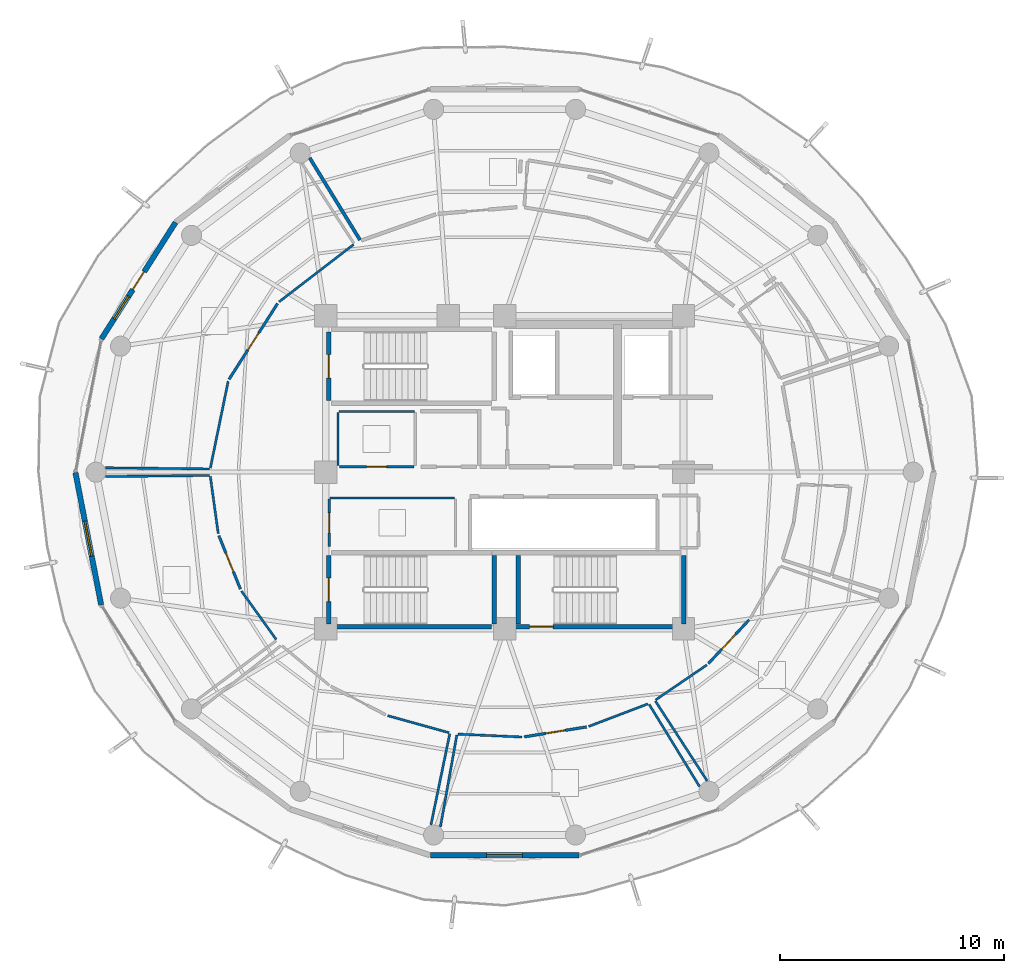
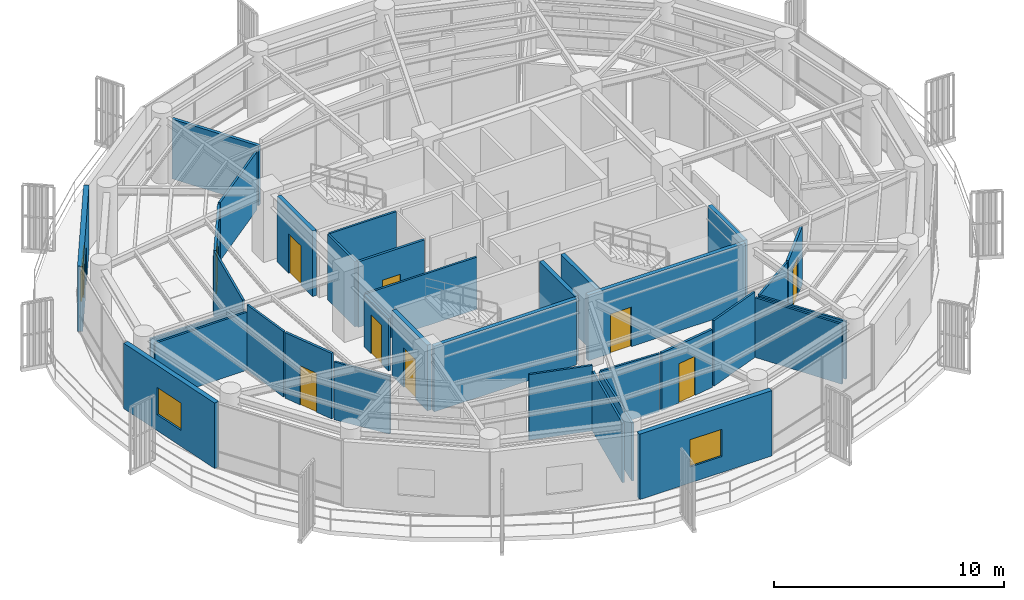
# One storey, part 15 of 22: 34 walls, 10 doors, 3 windows, 13 openings.
"""IFC4 building model written with IfcOpenShell, lengths in metres."""

from ifc_helpers import new_model, si_unit, direction, frame, frame_2d, origin, place, context, subcontext, project, spatial, rectangle, extrude, material, layer, layer_set, type_object, element, fill, save


model = new_model("IFC4")

# Units and contexts
model_context = context("Model", 3, precision=1e-05, world=origin(), true_north=direction((0.0, 1.0)))
body_context = subcontext(model_context, "Body", "Model", "MODEL_VIEW")
ifc_project = project(units=[si_unit("LENGTHUNIT", "METRE"), si_unit("AREAUNIT", "SQUARE_METRE"), si_unit("VOLUMEUNIT", "CUBIC_METRE"), si_unit("PLANEANGLEUNIT", "RADIAN"), si_unit("MASSUNIT", "GRAM", prefix="KILO")], contexts=[model_context])

# Site, building, storey
site_placement = place(None, origin())
site = spatial("IfcSite", under=ifc_project, at=site_placement, CompositionType="ELEMENT")
building_placement = place(site_placement, origin())
building = spatial("IfcBuilding", under=site, at=building_placement, Name="Kelanora Arch Commons", CompositionType="ELEMENT")
storey_placement = place(building_placement, frame((0.0, 0.0, 267.449951171875)))
storey = spatial("IfcBuildingStorey", under=building, at=storey_placement, Name="L68", CompositionType="ELEMENT", Elevation=267.449951171875)

# Wall
ifc_material_1 = material(Name="Autoclaved aerated concrete blockwork with fire plaster", Category="masonry")
ifc_layer_1 = layer(ifc_material_1, 0.14990234375)
ifc_layer_set_1 = layer_set([ifc_layer_1], Name="Autoclaved aerated concrete blockwork with fire plaster")
wall_type_1 = type_object("IfcWallType", Name="W-COMP-150", PredefinedType="PARTITIONING", material=ifc_layer_set_1)
wall_1_placement = place(storey_placement, frame((67.5341796875, 68.385009765625, 0.0), z_axis=(0.0, 0.0, 1.0), x_axis=(-0.522784059663, 0.852465147066, 0.0)))
element("IfcWall", 1, at=wall_1_placement, inside=storey, type_object=wall_type_1, Name="Co-Living Studio L68-02 Enclosure Partition 3", PredefinedType="PARTITIONING", context=body_context, shape_type="SweptSolid", body=[
    extrude(rectangle(XDim=4.30615234375, YDim=0.14990234375, at=frame_2d((2.153076171875, 0.0))), origin(), (0.0, 0.0, 1.0), 3.175048828125),
])

# Wall, openings, door, window
ifc_material_2 = material(Name="Precast concrete C40/50 upper-zone terracotta rainscreen", Category="masonry")
ifc_layer_2 = layer(ifc_material_2, 0.239990234375)
ifc_layer_set_2 = layer_set([ifc_layer_2], Name="Precast concrete C40/50 upper-zone terracotta rainscreen")
wall_type_2 = type_object("IfcWallType", Name="W-EXT-TC2", PredefinedType="SOLIDWALL", material=ifc_layer_set_2)
wall_2_placement = place(storey_placement, frame((59.28369140625, 69.171875, 0.0), z_axis=(0.0, 0.0, 1.0), x_axis=(-0.537271968456, -0.843409053728, 0.0)))
wall_2 = element("IfcWall", 2, at=wall_2_placement, inside=storey, type_object=wall_type_2, Name="Terracotta Exterior Wall L68-B07", PredefinedType="SOLIDWALL", context=body_context, shape_type="SweptSolid", body=[
    extrude(rectangle(XDim=6.175048828125, YDim=0.239990234375, at=frame_2d((3.08740234375, 0.0))), origin(), (0.0, 0.0, 1.0), 3.47509765625),
])
opening_1_placement = place(wall_2_placement, frame((2.613037109375, 0.0, 0.0)))
opening_1 = element("IfcOpeningElement", 3, at=opening_1_placement, cuts=wall_2, Name="Opening DB-01", PredefinedType="OPENING", context=body_context, shape_type="SweptSolid", body=[
    extrude(rectangle(XDim=0.949951171875, YDim=2.10009765625, at=frame_2d((0.47509765625, 1.050048828125))), frame((0.0, 0.1298828125, 0.0), z_axis=(0.0, -1.0, 0.0), x_axis=(1.0, 0.0, 0.0)), (0.0, 0.0, 1.0), 0.260009765625),
])
opening_2_placement = place(wall_2_placement, frame((3.9130859375, 0.0, 0.85009765625)))
opening_2 = element("IfcOpeningElement", 4, at=opening_2_placement, cuts=wall_2, Name="Opening WN-02", PredefinedType="OPENING", context=body_context, shape_type="SweptSolid", body=[
    extrude(rectangle(XDim=1.199951171875, YDim=1.449951171875, at=frame_2d((0.60009765625, 0.72509765625))), frame((0.0, 0.1298828125, 0.0), z_axis=(0.0, -1.0, 0.0), x_axis=(1.0, 0.0, 0.0)), (0.0, 0.0, 1.0), 0.260009765625),
])
ifc_material_3 = material(Name="Terracotta-aluminium thermally broken glazed balcony door", Category="masonry")
door_type_1 = type_object("IfcDoorType", Name="D-BAL-10", OperationType="NOTDEFINED", PredefinedType="DOOR", material=ifc_material_3)
door_1_placement = place(opening_1_placement, frame((0.949951171875, 0.0, 0.0), z_axis=(0.0, 0.0, 1.0), x_axis=(-1.0, 0.0, 0.0)))
door_1 = element("IfcDoor", 5, at=door_1_placement, inside=storey, type_object=door_type_1, Name="Wave Balcony Door L68-B07", OperationType="SINGLE_SWING_RIGHT", OverallHeight=2.10009765625, OverallWidth=0.949951171875, PredefinedType="DOOR", context=body_context, shape_type="SweptSolid", body=[
    extrude(rectangle(XDim=0.949951171875, YDim=2.10009765625, at=frame_2d((0.47509765625, 1.050048828125))), frame((0.0, 0.02490234375, 0.0), z_axis=(0.0, -1.0, 0.0), x_axis=(1.0, 0.0, 0.0)), (0.0, 0.0, 1.0), 0.050048828125),
])
fill(opening_1, door_1)
ifc_material_4 = material(Name="Terracotta-anodised aluminium frame with operable awning sash", Category="masonry")
window_type_1 = type_object("IfcWindowType", Name="WIN-CL-12", PartitioningType="SINGLE_PANEL", PredefinedType="WINDOW", material=ifc_material_4)
window_1_placement = place(opening_2_placement, origin())
window_1 = element("IfcWindow", 6, at=window_1_placement, inside=storey, type_object=window_type_1, Name="Co-Living Operable Window L68-B07", OverallHeight=1.449951171875, OverallWidth=1.199951171875, PartitioningType="SINGLE_PANEL", PredefinedType="WINDOW", context=body_context, shape_type="SweptSolid", body=[
    extrude(rectangle(XDim=1.199951171875, YDim=1.449951171875, at=frame_2d((0.60009765625, 0.72509765625))), frame((0.0, 0.030029296875, 0.0), z_axis=(0.0, -1.0, 0.0), x_axis=(1.0, 0.0, 0.0)), (0.0, 0.0, 1.0), 0.06005859375),
])
fill(opening_2, window_1)

# Wall, opening, window
wall_3_placement = place(storey_placement, frame((54.802978515625, 57.9853515625, 0.0), z_axis=(0.0, 0.0, 1.0), x_axis=(0.190969309115, -0.981596008028, 0.0)))
wall_3 = element("IfcWall", 7, at=wall_3_placement, inside=storey, type_object=wall_type_2, Name="Terracotta Exterior Wall L68-B09", PredefinedType="SOLIDWALL", context=body_context, shape_type="SweptSolid", body=[
    extrude(rectangle(XDim=6.032958984375, YDim=0.239990234375, at=frame_2d((3.0166015625, 0.0))), origin(), (0.0, 0.0, 1.0), 3.47509765625),
])
opening_3_placement = place(wall_3_placement, frame((2.216064453125, 0.0, 0.85009765625)))
opening_3 = element("IfcOpeningElement", 8, at=opening_3_placement, cuts=wall_3, Name="Opening WN-01", PredefinedType="OPENING", context=body_context, shape_type="SweptSolid", body=[
    extrude(rectangle(XDim=1.60009765625, YDim=1.449951171875, at=frame_2d((0.800048828125, 0.72509765625))), frame((0.0, 0.1298828125, 0.0), z_axis=(0.0, -1.0, 0.0), x_axis=(1.0, 0.0, 0.0)), (0.0, 0.0, 1.0), 0.260009765625),
])
ifc_material_5 = material(Name="Terracotta-anodised aluminium frame with operable low-E glazing", Category="masonry")
window_type_2 = type_object("IfcWindowType", Name="WIN-CL-18", PartitioningType="DOUBLE_PANEL_VERTICAL", PredefinedType="WINDOW", material=ifc_material_5)
window_2_placement = place(opening_3_placement, origin())
window_2 = element("IfcWindow", 9, at=window_2_placement, inside=storey, type_object=window_type_2, Name="Co-Living Operable Window L68-B09", OverallHeight=1.449951171875, OverallWidth=1.60009765625, PartitioningType="SINGLE_PANEL", PredefinedType="WINDOW", context=body_context, shape_type="SweptSolid", body=[
    extrude(rectangle(XDim=1.60009765625, YDim=1.449951171875, at=frame_2d((0.800048828125, 0.72509765625))), frame((0.0, 0.030029296875, 0.0), z_axis=(0.0, -1.0, 0.0), x_axis=(1.0, 0.0, 0.0)), (0.0, 0.0, 1.0), 0.06005859375),
])
fill(opening_3, window_2)

wall_4_placement = place(storey_placement, frame((70.680908203125, 40.8642578125, 0.0), z_axis=(0.0, 0.0, 1.0), x_axis=(1.0, 0.0, 0.0)))
wall_4 = element("IfcWall", 10, at=wall_4_placement, inside=storey, type_object=wall_type_2, Name="Terracotta Exterior Wall L68-B13", PredefinedType="SOLIDWALL", context=body_context, shape_type="SweptSolid", body=[
    extrude(rectangle(XDim=6.63818359375, YDim=0.239990234375, at=frame_2d((3.319091796875, 0.0))), origin(), (0.0, 0.0, 1.0), 3.47509765625),
])
opening_4_placement = place(wall_4_placement, frame((2.51904296875, 0.0, 0.85009765625)))
opening_4 = element("IfcOpeningElement", 11, at=opening_4_placement, cuts=wall_4, Name="Opening WN-01", PredefinedType="OPENING", context=body_context, shape_type="SweptSolid", body=[
    extrude(rectangle(XDim=1.60009765625, YDim=1.449951171875, at=frame_2d((0.800048828125, 0.72509765625))), frame((0.0, 0.1298828125, 0.0), z_axis=(0.0, -1.0, 0.0), x_axis=(1.0, 0.0, 0.0)), (0.0, 0.0, 1.0), 0.260009765625),
])
window_3_placement = place(opening_4_placement, origin())
window_3 = element("IfcWindow", 12, at=window_3_placement, inside=storey, type_object=window_type_2, Name="Co-Living Operable Window L68-B13", OverallHeight=1.449951171875, OverallWidth=1.60009765625, PartitioningType="SINGLE_PANEL", PredefinedType="WINDOW", context=body_context, shape_type="SweptSolid", body=[
    extrude(rectangle(XDim=1.60009765625, YDim=1.449951171875, at=frame_2d((0.800048828125, 0.72509765625))), frame((0.0, 0.030029296875, 0.0), z_axis=(0.0, -1.0, 0.0), x_axis=(1.0, 0.0, 0.0)), (0.0, 0.0, 1.0), 0.06005859375),
])
fill(opening_4, window_3)

# Walls
ifc_material_6 = material(Name="Lightweight fire-rated acoustic stud partition")
ifc_layer_3 = layer(ifc_material_6, 0.10009765625)
ifc_layer_set_3 = layer_set([ifc_layer_3], Name="Lightweight fire-rated acoustic stud partition")
wall_type_3 = type_object("IfcWallType", Name="W-PART-100", PredefinedType="PARTITIONING", material=ifc_layer_set_3)
wall_5_placement = place(storey_placement, frame((69.9599609375, 60.719970703125, 0.0), z_axis=(0.0, 0.0, 1.0), x_axis=(-1.0, 0.0, 0.0)))
element("IfcWall", 13, at=wall_5_placement, inside=storey, type_object=wall_type_3, Name="Reclaimed Core Quiet Phone Booths L68 Enclosure Partition 3", PredefinedType="PARTITIONING", context=body_context, shape_type="SweptSolid", body=[
    extrude(rectangle(XDim=3.369873046875, YDim=0.10009765625, at=frame_2d((1.68505859375, 0.0))), origin(), (0.0, 0.0, 1.0), 3.47998046875),
])
wall_6_placement = place(storey_placement, frame((66.550048828125, 60.679931640625, 0.0), z_axis=(0.0, 0.0, 1.0), x_axis=(0.0, -1.0, 0.0)))
element("IfcWall", 14, at=wall_6_placement, inside=storey, type_object=wall_type_3, Name="Reclaimed Core Quiet Phone Booths L68 Enclosure Partition 4", PredefinedType="PARTITIONING", context=body_context, shape_type="SweptSolid", body=[
    extrude(rectangle(XDim=2.389892578125, YDim=0.10009765625, at=frame_2d((1.19482421875, 0.0))), origin(), (0.0, 0.0, 1.0), 3.47998046875),
])
wall_7_placement = place(storey_placement, frame((71.760009765625, 56.85009765625, 0.0), z_axis=(0.0, 0.0, 1.0), x_axis=(-1.0, 0.0, 0.0)))
element("IfcWall", 15, at=wall_7_placement, inside=storey, type_object=wall_type_3, Name="Reclaimed Core High-Zone Pantry and Copy Room L68 Enclosure Partition 3", PredefinedType="PARTITIONING", context=body_context, shape_type="SweptSolid", body=[
    extrude(rectangle(XDim=5.570068359375, YDim=0.10009765625, at=frame_2d((2.78515625, 0.0))), origin(), (0.0, 0.0, 1.0), 2.775146484375),
])
wall_8_placement = place(storey_placement, frame((67.244384765625, 68.181640625, 0.0), z_axis=(0.0, 0.0, 1.0), x_axis=(-0.792820246885, -0.609455540733, 0.0)))
element("IfcWall", 16, at=wall_8_placement, inside=storey, type_object=wall_type_3, Name="Communal Dining and Social Hall L68-03 Enclosure Partition 1", PredefinedType="PARTITIONING", context=body_context, shape_type="SweptSolid", body=[
    extrude(rectangle(XDim=4.207275390625, YDim=0.10009765625, at=frame_2d((2.103515625, 0.0))), origin(), (0.0, 0.0, 1.0), 3.074951171875),
])
wall_9_placement = place(storey_placement, frame((61.635009765625, 62.06591796875, 0.0), z_axis=(0.0, 0.0, 1.0), x_axis=(-0.200853183429, -0.979621354762, 0.0)))
element("IfcWall", 17, at=wall_9_placement, inside=storey, type_object=wall_type_3, Name="Communal Dining and Social Hall L68-03 Enclosure Partition 3", PredefinedType="PARTITIONING", context=body_context, shape_type="SweptSolid", body=[
    extrude(rectangle(XDim=3.962646484375, YDim=0.10009765625, at=frame_2d((1.9814453125, 0.0))), origin(), (0.0, 0.0, 1.0), 3.47998046875),
])
wall_10_placement = place(storey_placement, frame((60.791015625, 58.1455078125, 0.0), z_axis=(0.0, 0.0, 1.0), x_axis=(-0.999937174585, 0.01120923205, 0.0)))
element("IfcWall", 18, at=wall_10_placement, inside=storey, type_object=wall_type_3, Name="Communal Dining and Social Hall L68-03 Enclosure Partition 4", PredefinedType="PARTITIONING", context=body_context, shape_type="SweptSolid", body=[
    extrude(rectangle(XDim=4.63916015625, YDim=0.10009765625, at=frame_2d((2.319580078125, 0.0))), origin(), (0.0, 0.0, 1.0), 3.074951171875),
])
wall_11_placement = place(storey_placement, frame((60.83642578125, 57.8154296875, 0.0), z_axis=(0.0, 0.0, 1.0), x_axis=(0.137359832701, -0.990521214493, 0.0)))
element("IfcWall", 19, at=wall_11_placement, inside=storey, type_object=wall_type_3, Name="Social Sky Lounge L68-04 Enclosure Partition 1", PredefinedType="PARTITIONING", context=body_context, shape_type="SweptSolid", body=[
    extrude(rectangle(XDim=2.584228515625, YDim=0.10009765625, at=frame_2d((1.2919921875, 0.0))), origin(), (0.0, 0.0, 1.0), 3.47998046875),
])
wall_12_placement = place(storey_placement, frame((62.230224609375, 52.68359375, 0.0), z_axis=(0.0, 0.0, 1.0), x_axis=(0.582725386778, -0.812669135383, 0.0)))
element("IfcWall", 20, at=wall_12_placement, inside=storey, type_object=wall_type_3, Name="Social Sky Lounge L68-04 Enclosure Partition 3", PredefinedType="PARTITIONING", context=body_context, shape_type="SweptSolid", body=[
    extrude(rectangle(XDim=2.669189453125, YDim=0.10009765625, at=frame_2d((1.33447265625, 0.0))), origin(), (0.0, 0.0, 1.0), 3.074951171875),
])
wall_13_placement = place(storey_placement, frame((56.152099609375, 57.802490234375, 0.0), z_axis=(0.0, 0.0, 1.0), x_axis=(0.999937174585, 0.01120923205, 0.0)))
element("IfcWall", 21, at=wall_13_placement, inside=storey, type_object=wall_type_3, Name="Social Sky Lounge L68-04 Enclosure Partition 8", PredefinedType="PARTITIONING", context=body_context, shape_type="SweptSolid", body=[
    extrude(rectangle(XDim=4.63916015625, YDim=0.10009765625, at=frame_2d((2.319580078125, 0.0))), origin(), (0.0, 0.0, 1.0), 3.074951171875),
])
wall_14_placement = place(storey_placement, frame((68.7724609375, 47.109375, 0.0), z_axis=(0.0, 0.0, 1.0), x_axis=(0.963478601256, -0.267785333659, 0.0)))
element("IfcWall", 22, at=wall_14_placement, inside=storey, type_object=wall_type_3, Name="Social Sky Lounge L68-05 Enclosure Partition 3", PredefinedType="PARTITIONING", context=body_context, shape_type="SweptSolid", body=[
    extrude(rectangle(XDim=2.84814453125, YDim=0.10009765625, at=frame_2d((1.424072265625, 0.0))), origin(), (0.0, 0.0, 1.0), 3.47998046875),
])
wall_15_placement = place(storey_placement, frame((71.546875, 46.296875, 0.0), z_axis=(0.0, 0.0, 1.0), x_axis=(-0.202308141573, -0.979321916355, 0.0)))
element("IfcWall", 23, at=wall_15_placement, inside=storey, type_object=wall_type_3, Name="Social Sky Lounge L68-05 Enclosure Partition 4", PredefinedType="PARTITIONING", context=body_context, shape_type="SweptSolid", body=[
    extrude(rectangle(XDim=4.152587890625, YDim=0.10009765625, at=frame_2d((2.076171875, 0.0))), origin(), (0.0, 0.0, 1.0), 3.175048828125),
])
wall_16_placement = place(storey_placement, frame((71.912109375, 46.2841796875, 0.0), z_axis=(0.0, 0.0, 1.0), x_axis=(0.998983047325, -0.045087372484, 0.0)))
element("IfcWall", 24, at=wall_16_placement, inside=storey, type_object=wall_type_3, Name="Quiet Seminar Study Room L68-06 Enclosure Partition 1", PredefinedType="PARTITIONING", context=body_context, shape_type="SweptSolid", body=[
    extrude(rectangle(XDim=2.869873046875, YDim=0.10009765625, at=frame_2d((1.43505859375, 0.0))), origin(), (0.0, 0.0, 1.0), 3.074951171875),
])
wall_17_placement = place(storey_placement, frame((77.763427734375, 46.629150390625, 0.0), z_axis=(0.0, 0.0, 1.0), x_axis=(0.934691278896, 0.355460564839, 0.0)))
element("IfcWall", 25, at=wall_17_placement, inside=storey, type_object=wall_type_3, Name="Quiet Seminar Study Room L68-06 Enclosure Partition 3", PredefinedType="PARTITIONING", context=body_context, shape_type="SweptSolid", body=[
    extrude(rectangle(XDim=2.8291015625, YDim=0.10009765625, at=frame_2d((1.41455078125, 0.0))), origin(), (0.0, 0.0, 1.0), 3.47998046875),
])
wall_18_placement = place(storey_placement, frame((80.4658203125, 47.614990234375, 0.0), z_axis=(0.0, 0.0, 1.0), x_axis=(0.522784059663, -0.852465147066, 0.0)))
element("IfcWall", 26, at=wall_18_placement, inside=storey, type_object=wall_type_3, Name="Quiet Seminar Study Room L68-06 Enclosure Partition 4", PredefinedType="PARTITIONING", context=body_context, shape_type="SweptSolid", body=[
    extrude(rectangle(XDim=4.30615234375, YDim=0.10009765625, at=frame_2d((2.153076171875, 0.0))), origin(), (0.0, 0.0, 1.0), 3.175048828125),
])
wall_19_placement = place(storey_placement, frame((71.129150390625, 42.1357421875, 0.0), z_axis=(0.0, 0.0, 1.0), x_axis=(0.176199339585, 0.984354505618, 0.0)))
element("IfcWall", 27, at=wall_19_placement, inside=storey, type_object=wall_type_3, Name="Quiet Seminar Study Room L68-06 Enclosure Partition 8", PredefinedType="PARTITIONING", context=body_context, shape_type="SweptSolid", body=[
    extrude(rectangle(XDim=4.17626953125, YDim=0.10009765625, at=frame_2d((2.088134765625, 0.0))), origin(), (0.0, 0.0, 1.0), 3.074951171875),
])
wall_20_placement = place(storey_placement, frame((80.757080078125, 47.81640625, 0.0), z_axis=(0.0, 0.0, 1.0), x_axis=(0.826087380575, 0.563542047814, 0.0)))
element("IfcWall", 28, at=wall_20_placement, inside=storey, type_object=wall_type_3, Name="Communal Dining and Social Hall L68-07 Enclosure Partition 1", PredefinedType="PARTITIONING", context=body_context, shape_type="SweptSolid", body=[
    extrude(rectangle(XDim=2.768310546875, YDim=0.10009765625, at=frame_2d((1.38427734375, 0.0))), origin(), (0.0, 0.0, 1.0), 3.074951171875),
])
wall_21_placement = place(storey_placement, frame((83.058349609375, 44.19580078125, 0.0), z_axis=(0.0, 0.0, 1.0), x_axis=(-0.544234825024, 0.838932926539, 0.0)))
element("IfcWall", 29, at=wall_21_placement, inside=storey, type_object=wall_type_3, Name="Communal Dining and Social Hall L68-07 Enclosure Partition 8", PredefinedType="PARTITIONING", context=body_context, shape_type="SweptSolid", body=[
    extrude(rectangle(XDim=4.2490234375, YDim=0.10009765625, at=frame_2d((2.12451171875, 0.0))), origin(), (0.0, 0.0, 1.0), 3.074951171875),
])

# Wall, opening, door
ifc_material_7 = material(Name="Acoustic twin-stud fire-rated gypsum partition")
ifc_layer_4 = layer(ifc_material_7, 0.1201171875)
ifc_layer_set_4 = layer_set([ifc_layer_4], Name="Acoustic twin-stud fire-rated gypsum partition")
wall_type_4 = type_object("IfcWallType", Name="W-PART-120", PredefinedType="PARTITIONING", material=ifc_layer_set_4)
wall_22_placement = place(storey_placement, frame((66.610107421875, 58.25, 0.0), z_axis=(0.0, 0.0, 1.0), x_axis=(1.0, 0.0, 0.0)))
wall_22 = element("IfcWall", 30, at=wall_22_placement, inside=storey, type_object=wall_type_4, Name="Reclaimed Core Quiet Phone Booths L68 Entry Partition", PredefinedType="PARTITIONING", context=body_context, shape_type="SweptSolid", body=[
    extrude(rectangle(XDim=3.329833984375, YDim=0.1201171875, at=frame_2d((1.6650390625, 0.0))), origin(), (0.0, 0.0, 1.0), 3.47998046875),
])
opening_5_placement = place(wall_22_placement, frame((1.215087890625, 0.0, 0.0)))
opening_5 = element("IfcOpeningElement", 31, at=opening_5_placement, cuts=wall_22, Name="Opening D-RM1", PredefinedType="OPENING", context=body_context, shape_type="SweptSolid", body=[
    extrude(rectangle(XDim=0.89990234375, YDim=2.080078125, at=frame_2d((0.449951171875, 1.0400390625))), frame((0.0, 0.070068359375, 0.0), z_axis=(0.0, -1.0, 0.0), x_axis=(1.0, 0.0, 0.0)), (0.0, 0.0, 1.0), 0.14013671875),
])
ifc_material_8 = material(Name="Acoustic fire-rated timber study and lounge door", Category="wood")
door_type_2 = type_object("IfcDoorType", Name="D-ROOM-90", OperationType="NOTDEFINED", PredefinedType="DOOR", material=ifc_material_8)
door_2_placement = place(opening_5_placement, origin())
door_2 = element("IfcDoor", 32, at=door_2_placement, inside=storey, type_object=door_type_2, Name="Reclaimed Core Quiet Phone Booths L68 Door", OperationType="SINGLE_SWING_RIGHT", OverallHeight=2.080078125, OverallWidth=0.89990234375, PredefinedType="DOOR", context=body_context, shape_type="SweptSolid", body=[
    extrude(rectangle(XDim=0.89990234375, YDim=2.080078125, at=frame_2d((0.449951171875, 1.0400390625))), frame((0.0, 0.02490234375, 0.0), z_axis=(0.0, -1.0, 0.0), x_axis=(1.0, 0.0, 0.0)), (0.0, 0.0, 1.0), 0.050048828125),
])
fill(opening_5, door_2)

wall_23_placement = place(storey_placement, frame((66.14990234375, 54.679931640625, 0.0), z_axis=(0.0, 0.0, 1.0), x_axis=(0.0, 1.0, 0.0)))
wall_23 = element("IfcWall", 33, at=wall_23_placement, inside=storey, type_object=wall_type_4, Name="Reclaimed Core High-Zone Pantry and Copy Room L68 Entry Partition", PredefinedType="PARTITIONING", context=body_context, shape_type="SweptSolid", body=[
    extrude(rectangle(XDim=2.110107421875, YDim=0.1201171875, at=frame_2d((1.05517578125, 0.0))), origin(), (0.0, 0.0, 1.0), 2.775146484375),
])
opening_6_placement = place(wall_23_placement, frame((0.60498046875, 0.0, 0.0)))
opening_6 = element("IfcOpeningElement", 34, at=opening_6_placement, cuts=wall_23, Name="Opening D-RM1", PredefinedType="OPENING", context=body_context, shape_type="SweptSolid", body=[
    extrude(rectangle(XDim=0.89990234375, YDim=2.080078125, at=frame_2d((0.449951171875, 1.0400390625))), frame((0.0, 0.070068359375, 0.0), z_axis=(0.0, -1.0, 0.0), x_axis=(1.0, 0.0, 0.0)), (0.0, 0.0, 1.0), 0.14013671875),
])
door_3_placement = place(opening_6_placement, origin())
door_3 = element("IfcDoor", 35, at=door_3_placement, inside=storey, type_object=door_type_2, Name="Reclaimed Core High-Zone Pantry and Copy Room L68 Door", OperationType="SINGLE_SWING_RIGHT", OverallHeight=2.080078125, OverallWidth=0.89990234375, PredefinedType="DOOR", context=body_context, shape_type="SweptSolid", body=[
    extrude(rectangle(XDim=0.89990234375, YDim=2.080078125, at=frame_2d((0.449951171875, 1.0400390625))), frame((0.0, 0.02490234375, 0.0), z_axis=(0.0, -1.0, 0.0), x_axis=(1.0, 0.0, 0.0)), (0.0, 0.0, 1.0), 0.050048828125),
])
fill(opening_6, door_3)

wall_24_placement = place(storey_placement, frame((63.844482421875, 65.54248046875, 0.0), z_axis=(0.0, 0.0, 1.0), x_axis=(-0.539324099435, -0.842098281538, 0.0)))
wall_24 = element("IfcWall", 36, at=wall_24_placement, inside=storey, type_object=wall_type_4, Name="Communal Dining and Social Hall L68-03 Entry Partition", PredefinedType="PARTITIONING", context=body_context, shape_type="SweptSolid", body=[
    extrude(rectangle(XDim=4.02197265625, YDim=0.1201171875, at=frame_2d((2.010986328125, 0.0))), origin(), (0.0, 0.0, 1.0), 3.074951171875),
])
opening_7_placement = place(wall_24_placement, frame((1.56103515625, 0.0, 0.0)))
opening_7 = element("IfcOpeningElement", 37, at=opening_7_placement, cuts=wall_24, Name="Opening D-RM1", PredefinedType="OPENING", context=body_context, shape_type="SweptSolid", body=[
    extrude(rectangle(XDim=0.89990234375, YDim=2.080078125, at=frame_2d((0.449951171875, 1.0400390625))), frame((0.0, 0.070068359375, 0.0), z_axis=(0.0, -1.0, 0.0), x_axis=(1.0, 0.0, 0.0)), (0.0, 0.0, 1.0), 0.14013671875),
])
door_4_placement = place(opening_7_placement, origin())
door_4 = element("IfcDoor", 38, at=door_4_placement, inside=storey, type_object=door_type_2, Name="Communal Dining and Social Hall L68-03 Door", OperationType="SINGLE_SWING_LEFT", OverallHeight=2.080078125, OverallWidth=0.89990234375, PredefinedType="DOOR", context=body_context, shape_type="SweptSolid", body=[
    extrude(rectangle(XDim=0.89990234375, YDim=2.080078125, at=frame_2d((0.449951171875, 1.0400390625))), frame((0.0, 0.02490234375, 0.0), z_axis=(0.0, -1.0, 0.0), x_axis=(1.0, 0.0, 0.0)), (0.0, 0.0, 1.0), 0.050048828125),
])
fill(opening_7, door_4)

wall_25_placement = place(storey_placement, frame((61.219482421875, 55.160400390625, 0.0), z_axis=(0.0, 0.0, 1.0), x_axis=(0.374574284654, -0.927196907499, 0.0)))
wall_25 = element("IfcWall", 39, at=wall_25_placement, inside=storey, type_object=wall_type_4, Name="Social Sky Lounge L68-04 Entry Partition", PredefinedType="PARTITIONING", context=body_context, shape_type="SweptSolid", body=[
    extrude(rectangle(XDim=2.576416015625, YDim=0.1201171875, at=frame_2d((1.2880859375, 0.0))), origin(), (0.0, 0.0, 1.0), 3.47998046875),
])
opening_8_placement = place(wall_25_placement, frame((0.837890625, 0.0, 0.0)))
opening_8 = element("IfcOpeningElement", 40, at=opening_8_placement, cuts=wall_25, Name="Opening D-RM1", PredefinedType="OPENING", context=body_context, shape_type="SweptSolid", body=[
    extrude(rectangle(XDim=0.89990234375, YDim=2.080078125, at=frame_2d((0.449951171875, 1.0400390625))), frame((0.0, 0.070068359375, 0.0), z_axis=(0.0, -1.0, 0.0), x_axis=(1.0, 0.0, 0.0)), (0.0, 0.0, 1.0), 0.14013671875),
])
door_5_placement = place(opening_8_placement, origin())
door_5 = element("IfcDoor", 41, at=door_5_placement, inside=storey, type_object=door_type_2, Name="Social Sky Lounge L68-04 Door", OperationType="SINGLE_SWING_RIGHT", OverallHeight=2.080078125, OverallWidth=0.89990234375, PredefinedType="DOOR", context=body_context, shape_type="SweptSolid", body=[
    extrude(rectangle(XDim=0.89990234375, YDim=2.080078125, at=frame_2d((0.449951171875, 1.0400390625))), frame((0.0, 0.02490234375, 0.0), z_axis=(0.0, -1.0, 0.0), x_axis=(1.0, 0.0, 0.0)), (0.0, 0.0, 1.0), 0.050048828125),
])
fill(opening_8, door_5)

wall_26_placement = place(storey_placement, frame((74.87841796875, 46.162353515625, 0.0), z_axis=(0.0, 0.0, 1.0), x_axis=(0.987593415231, 0.157032627796, 0.0)))
wall_26 = element("IfcWall", 42, at=wall_26_placement, inside=storey, type_object=wall_type_4, Name="Quiet Seminar Study Room L68-06 Entry Partition", PredefinedType="PARTITIONING", context=body_context, shape_type="SweptSolid", body=[
    extrude(rectangle(XDim=2.8232421875, YDim=0.1201171875, at=frame_2d((1.41162109375, 0.0))), origin(), (0.0, 0.0, 1.0), 3.074951171875),
])
opening_9_placement = place(wall_26_placement, frame((0.9619140625, 0.0, 0.0)))
opening_9 = element("IfcOpeningElement", 43, at=opening_9_placement, cuts=wall_26, Name="Opening D-RM1", PredefinedType="OPENING", context=body_context, shape_type="SweptSolid", body=[
    extrude(rectangle(XDim=0.89990234375, YDim=2.080078125, at=frame_2d((0.449951171875, 1.0400390625))), frame((0.0, 0.070068359375, 0.0), z_axis=(0.0, -1.0, 0.0), x_axis=(1.0, 0.0, 0.0)), (0.0, 0.0, 1.0), 0.14013671875),
])
door_6_placement = place(opening_9_placement, origin())
door_6 = element("IfcDoor", 44, at=door_6_placement, inside=storey, type_object=door_type_2, Name="Quiet Seminar Study Room L68-06 Door", OperationType="SINGLE_SWING_RIGHT", OverallHeight=2.080078125, OverallWidth=0.89990234375, PredefinedType="DOOR", context=body_context, shape_type="SweptSolid", body=[
    extrude(rectangle(XDim=0.89990234375, YDim=2.080078125, at=frame_2d((0.449951171875, 1.0400390625))), frame((0.0, 0.02490234375, 0.0), z_axis=(0.0, -1.0, 0.0), x_axis=(1.0, 0.0, 0.0)), (0.0, 0.0, 1.0), 0.050048828125),
])
fill(opening_9, door_6)

wall_27_placement = place(storey_placement, frame((83.117919921875, 49.44287109375, 0.0), z_axis=(0.0, 0.0, 1.0), x_axis=(0.681315269885, 0.731990097625, 0.0)))
wall_27 = element("IfcWall", 45, at=wall_27_placement, inside=storey, type_object=wall_type_4, Name="Communal Dining and Social Hall L68-07 Entry Partition", PredefinedType="PARTITIONING", context=body_context, shape_type="SweptSolid", body=[
    extrude(rectangle(XDim=2.664306640625, YDim=0.1201171875, at=frame_2d((1.33203125, 0.0))), origin(), (0.0, 0.0, 1.0), 3.074951171875),
])
opening_10_placement = place(wall_27_placement, frame((0.882080078125, 0.0, 0.0)))
opening_10 = element("IfcOpeningElement", 46, at=opening_10_placement, cuts=wall_27, Name="Opening D-RM1", PredefinedType="OPENING", context=body_context, shape_type="SweptSolid", body=[
    extrude(rectangle(XDim=0.89990234375, YDim=2.080078125, at=frame_2d((0.449951171875, 1.0400390625))), frame((0.0, 0.070068359375, 0.0), z_axis=(0.0, -1.0, 0.0), x_axis=(1.0, 0.0, 0.0)), (0.0, 0.0, 1.0), 0.14013671875),
])
door_7_placement = place(opening_10_placement, origin())
door_7 = element("IfcDoor", 47, at=door_7_placement, inside=storey, type_object=door_type_2, Name="Communal Dining and Social Hall L68-07 Door", OperationType="SINGLE_SWING_LEFT", OverallHeight=2.080078125, OverallWidth=0.89990234375, PredefinedType="DOOR", context=body_context, shape_type="SweptSolid", body=[
    extrude(rectangle(XDim=0.89990234375, YDim=2.080078125, at=frame_2d((0.449951171875, 1.0400390625))), frame((0.0, 0.02490234375, 0.0), z_axis=(0.0, -1.0, 0.0), x_axis=(1.0, 0.0, 0.0)), (0.0, 0.0, 1.0), 0.050048828125),
])
fill(opening_10, door_7)

ifc_material_9 = material(Name="Concrete C40/50", Category="concrete")
ifc_layer_5 = layer(ifc_material_9, 0.199951171875)
ifc_layer_set_5 = layer_set([ifc_layer_5], Name="Concrete C40/50")
wall_type_5 = type_object("IfcWallType", Name="W-STAIR-200", PredefinedType="SHEAR", material=ifc_layer_set_5)
wall_28_placement = place(storey_placement, frame((66.139892578125, 64.27001953125, 0.0), z_axis=(0.0, 0.0, 1.0), x_axis=(0.0, -1.0, 0.0)))
wall_28 = element("IfcWall", 48, at=wall_28_placement, inside=storey, type_object=wall_type_5, Name="Stair ST-T1 Shaft Wall W L68", PredefinedType="SHEAR", context=body_context, shape_type="SweptSolid", body=[
    extrude(rectangle(XDim=3.070068359375, YDim=0.199951171875, at=frame_2d((1.53515625, 0.0))), origin(), (0.0, 0.0, 1.0), 3.489990234375),
])
opening_11_placement = place(wall_28_placement, frame((1.010009765625, 0.0, 0.0)))
opening_11 = element("IfcOpeningElement", 49, at=opening_11_placement, cuts=wall_28, Name="Opening D-ST1", PredefinedType="OPENING", context=body_context, shape_type="SweptSolid", body=[
    extrude(rectangle(XDim=1.050048828125, YDim=2.10009765625, at=frame_2d((0.52490234375, 1.050048828125))), frame((0.0, 0.10986328125, 0.0), z_axis=(0.0, -1.0, 0.0), x_axis=(1.0, 0.0, 0.0)), (0.0, 0.0, 1.0), 0.219970703125),
])
ifc_material_10 = material(Name="Steel fire-rated stairwell escape door", Category="steel")
door_type_3 = type_object("IfcDoorType", Name="D-STAIR-110", OperationType="NOTDEFINED", PredefinedType="DOOR", material=ifc_material_10)
door_8_placement = place(opening_11_placement, origin())
door_8 = element("IfcDoor", 50, at=door_8_placement, inside=storey, type_object=door_type_3, Name="Stair ST-T1 Escape Door L68", OperationType="SINGLE_SWING_LEFT", OverallHeight=2.10009765625, OverallWidth=1.050048828125, PredefinedType="DOOR", context=body_context, shape_type="SweptSolid", body=[
    extrude(rectangle(XDim=1.050048828125, YDim=2.10009765625, at=frame_2d((0.52490234375, 1.050048828125))), frame((0.0, 0.02490234375, 0.0), z_axis=(0.0, -1.0, 0.0), x_axis=(1.0, 0.0, 0.0)), (0.0, 0.0, 1.0), 0.050048828125),
])
fill(opening_11, door_8)

wall_29_placement = place(storey_placement, frame((74.0, 51.080078125, 0.0), z_axis=(0.0, 0.0, 1.0), x_axis=(1.0, 0.0, 0.0)))
wall_29 = element("IfcWall", 51, at=wall_29_placement, inside=storey, type_object=wall_type_5, Name="Stair ST-T2 Shaft Wall S L68", PredefinedType="SHEAR", context=body_context, shape_type="SweptSolid", body=[
    extrude(rectangle(XDim=7.89990234375, YDim=0.199951171875, at=frame_2d((3.949951171875, 0.0))), origin(), (0.0, 0.0, 1.0), 3.489990234375),
])
opening_12_placement = place(wall_29_placement, frame((1.1201171875, 0.0, 0.0)))
opening_12 = element("IfcOpeningElement", 52, at=opening_12_placement, cuts=wall_29, Name="Opening D-ST1", PredefinedType="OPENING", context=body_context, shape_type="SweptSolid", body=[
    extrude(rectangle(XDim=1.050048828125, YDim=2.10009765625, at=frame_2d((0.52490234375, 1.050048828125))), frame((0.0, 0.10986328125, 0.0), z_axis=(0.0, -1.0, 0.0), x_axis=(1.0, 0.0, 0.0)), (0.0, 0.0, 1.0), 0.219970703125),
])
door_9_placement = place(opening_12_placement, origin())
door_9 = element("IfcDoor", 53, at=door_9_placement, inside=storey, type_object=door_type_3, Name="Stair ST-T2 Escape Door L68", OperationType="SINGLE_SWING_LEFT", OverallHeight=2.10009765625, OverallWidth=1.050048828125, PredefinedType="DOOR", context=body_context, shape_type="SweptSolid", body=[
    extrude(rectangle(XDim=1.050048828125, YDim=2.10009765625, at=frame_2d((0.52490234375, 1.050048828125))), frame((0.0, 0.02490234375, 0.0), z_axis=(0.0, -1.0, 0.0), x_axis=(1.0, 0.0, 0.0)), (0.0, 0.0, 1.0), 0.050048828125),
])
fill(opening_12, door_9)

# Walls
for number, where, z_axis, x_axis, name in (
    (54, (82.02001953125, 51.199951171875, 0.0), (0.0, 0.0, 1.0), (0.0, 1.0, 0.0), "Stair ST-T2 Shaft Wall E L68"),
    (55, (74.6201171875, 54.27001953125, 0.0), (0.0, 0.0, 1.0), (0.0, -1.0, 0.0), "Stair ST-T2 Shaft Wall W L68"),
):
    element("IfcWall", number, at=place(storey_placement, frame(where, z_axis=z_axis, x_axis=x_axis)), inside=storey, type_object=wall_type_5, Name=name, PredefinedType="SHEAR", context=body_context, shape_type="SweptSolid", body=[
        extrude(rectangle(XDim=3.070068359375, YDim=0.199951171875, at=frame_2d((1.53515625, 0.0))), origin(), (0.0, 0.0, 1.0), 3.489990234375),
    ])
wall_30_placement = place(storey_placement, frame((66.260009765625, 51.080078125, 0.0), z_axis=(0.0, 0.0, 1.0), x_axis=(1.0, 0.0, 0.0)))
element("IfcWall", 56, at=wall_30_placement, inside=storey, type_object=wall_type_5, Name="Stair ST-T3 Shaft Wall S L68", PredefinedType="SHEAR", context=body_context, shape_type="SweptSolid", body=[
    extrude(rectangle(XDim=7.159912109375, YDim=0.199951171875, at=frame_2d((3.580078125, 0.0))), origin(), (0.0, 0.0, 1.0), 3.489990234375),
])
wall_31_placement = place(storey_placement, frame((73.5400390625, 51.199951171875, 0.0), z_axis=(0.0, 0.0, 1.0), x_axis=(0.0, 1.0, 0.0)))
element("IfcWall", 57, at=wall_31_placement, inside=storey, type_object=wall_type_5, Name="Stair ST-T3 Shaft Wall E L68", PredefinedType="SHEAR", context=body_context, shape_type="SweptSolid", body=[
    extrude(rectangle(XDim=3.070068359375, YDim=0.199951171875, at=frame_2d((1.53515625, 0.0))), origin(), (0.0, 0.0, 1.0), 3.489990234375),
])

# Wall, opening, door
wall_32_placement = place(storey_placement, frame((66.139892578125, 54.27001953125, 0.0), z_axis=(0.0, 0.0, 1.0), x_axis=(0.0, -1.0, 0.0)))
wall_32 = element("IfcWall", 58, at=wall_32_placement, inside=storey, type_object=wall_type_5, Name="Stair ST-T3 Shaft Wall W L68", PredefinedType="SHEAR", context=body_context, shape_type="SweptSolid", body=[
    extrude(rectangle(XDim=3.070068359375, YDim=0.199951171875, at=frame_2d((1.53515625, 0.0))), origin(), (0.0, 0.0, 1.0), 3.489990234375),
])
opening_13_placement = place(wall_32_placement, frame((1.010009765625, 0.0, 0.0)))
opening_13 = element("IfcOpeningElement", 59, at=opening_13_placement, cuts=wall_32, Name="Opening D-ST1", PredefinedType="OPENING", context=body_context, shape_type="SweptSolid", body=[
    extrude(rectangle(XDim=1.050048828125, YDim=2.10009765625, at=frame_2d((0.52490234375, 1.050048828125))), frame((0.0, 0.10986328125, 0.0), z_axis=(0.0, -1.0, 0.0), x_axis=(1.0, 0.0, 0.0)), (0.0, 0.0, 1.0), 0.219970703125),
])
door_10_placement = place(opening_13_placement, origin())
door_10 = element("IfcDoor", 60, at=door_10_placement, inside=storey, type_object=door_type_3, Name="Stair ST-T3 Escape Door L68", OperationType="SINGLE_SWING_LEFT", OverallHeight=2.10009765625, OverallWidth=1.050048828125, PredefinedType="DOOR", context=body_context, shape_type="SweptSolid", body=[
    extrude(rectangle(XDim=1.050048828125, YDim=2.10009765625, at=frame_2d((0.52490234375, 1.050048828125))), frame((0.0, 0.02490234375, 0.0), z_axis=(0.0, -1.0, 0.0), x_axis=(1.0, 0.0, 0.0)), (0.0, 0.0, 1.0), 0.050048828125),
])
fill(opening_13, door_10)

save(model, "model.ifc")
